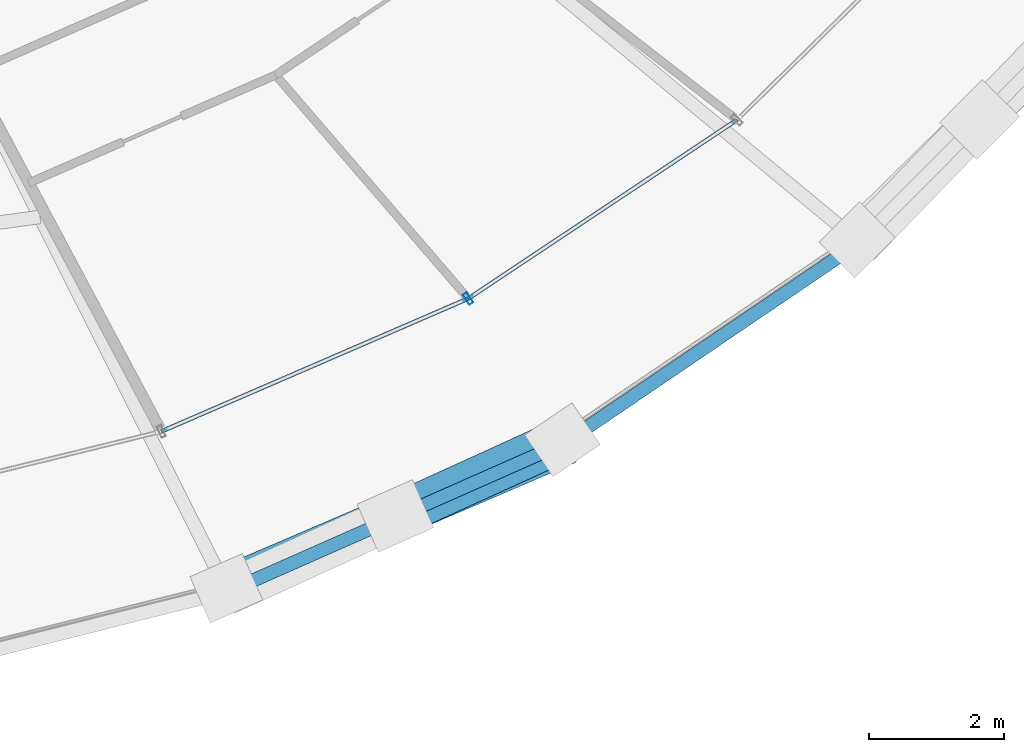
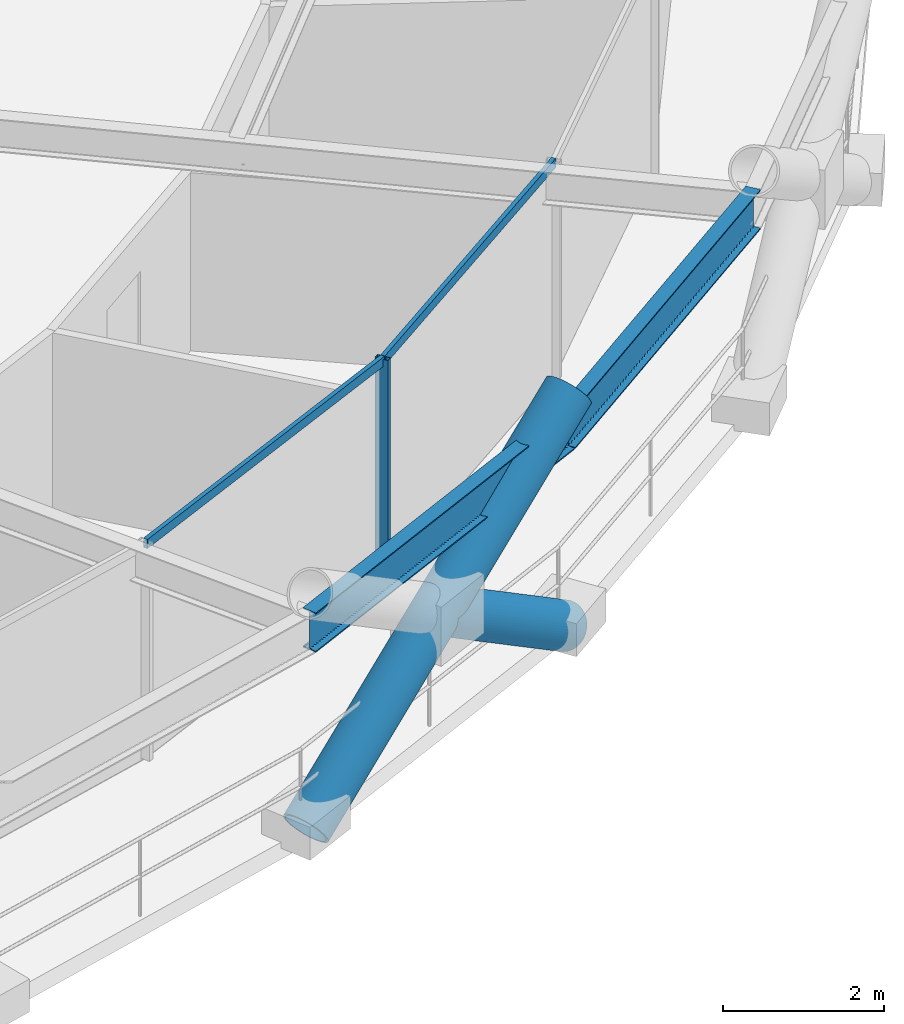
# One storey, part 8 of 21: 5 members, 2 beams, 1 element without a shape of its own.
"""IFC4 building model written with IfcOpenShell, lengths in metres."""

import ifcopenshell
import ifcopenshell.guid

model = None  # the IFC model being written
_history = None  # IfcOwnerHistory: only IFC2X3 demands one
_inside = {}  # id of a spatial element -> (the spatial element, [elements in it])
_under = {}  # id of a project, library or spatial element -> (it, [spatial elements below it])
_declared = {}  # id of a project -> (the project, [libraries it declares])
_typed = {}  # id of a type object -> (the type object, [elements of that type])
_made_of = {}  # id of a material, layer set ... -> (it, [elements and type objects made of it])


def new_model(schema):
    """Start an empty IFC model of exactly this schema.

    Asked for "IFC4X3", IfcOpenShell would pick the latest addendum, in which some entities
    have other attributes; the version numbers below select the first issue.
    IFC2X3 requires an IfcOwnerHistory on every rooted entity: one is made here for all.
    """
    global model, _history
    if schema == "IFC4X3":
        model = ifcopenshell.file(schema_version=(4, 3, 0, 0))
    else:
        model = ifcopenshell.file(schema=schema)
    _inside.clear()
    _under.clear()
    _declared.clear()
    _typed.clear()
    _made_of.clear()
    _history = None
    if model.schema == "IFC2X3":
        org = make("IfcOrganization", Name="unknown")
        user = make(
            "IfcPersonAndOrganization",
            ThePerson=make("IfcPerson", FamilyName="unknown"),
            TheOrganization=org,
        )
        app = make(
            "IfcApplication",
            ApplicationDeveloper=org,
            Version="unknown",
            ApplicationFullName="unknown",
            ApplicationIdentifier="unknown",
        )
        _history = make(
            "IfcOwnerHistory",
            OwningUser=user,
            OwningApplication=app,
            ChangeAction="ADDED",
            CreationDate=0,
        )
    return model


def make(cls, **values):
    """One entity of the class cls with the attributes given. An attribute that is None is left unset."""
    return model.create_entity(
        cls, **{name: value for name, value in values.items() if value is not None}
    )


def rooted(cls, **values):
    """An entity with a GlobalId (a new one), such as an element, a storey or a relation."""
    return make(cls, GlobalId=ifcopenshell.guid.new(), OwnerHistory=_history, **values)


def si_unit(unit_type, name, prefix=None):
    """IfcSIUnit, for example si_unit("LENGTHUNIT", "METRE", prefix="MILLI")."""
    return make("IfcSIUnit", UnitType=unit_type, Prefix=prefix, Name=name)


def assignment(units):
    """IfcUnitAssignment: the units of a project."""
    return None if units is None else make("IfcUnitAssignment", Units=units)


def point(xyz):
    """IfcCartesianPoint."""
    return None if xyz is None else make("IfcCartesianPoint", Coordinates=xyz)


def direction(xyz):
    """IfcDirection."""
    return None if xyz is None else make("IfcDirection", DirectionRatios=xyz)


def frame(location, z_axis=None, x_axis=None):
    """IfcAxis2Placement3D, a coordinate frame: its origin and axes. An axis left out is left unset."""
    return make(
        "IfcAxis2Placement3D",
        Location=point(location),
        Axis=direction(z_axis),
        RefDirection=direction(x_axis),
    )


def frame_2d(location, x_axis=None):
    """IfcAxis2Placement2D, a coordinate frame in the plane: its origin and x axis."""
    return make(
        "IfcAxis2Placement2D", Location=point(location), RefDirection=direction(x_axis)
    )


def origin():
    """The frame at (0, 0, 0) with its axes left unset."""
    return frame((0.0, 0.0, 0.0))


def origin_2d():
    """The frame at (0, 0) in the plane with its x axis left unset."""
    return frame_2d((0.0, 0.0))


def place(relative_to, where):
    """IfcLocalPlacement: puts the frame where relative to a parent placement (None: the world)."""
    return make(
        "IfcLocalPlacement", PlacementRelTo=relative_to, RelativePlacement=where
    )


def context(
    kind, dimensions, precision=None, world=None, true_north=None, identifier=None
):
    """IfcGeometricRepresentationContext, for example the 3D "Model" context."""
    return make(
        "IfcGeometricRepresentationContext",
        ContextIdentifier=identifier,
        ContextType=kind,
        CoordinateSpaceDimension=dimensions,
        Precision=precision,
        WorldCoordinateSystem=world,
        TrueNorth=true_north,
    )


def subcontext(parent, identifier, kind, view, scale=None):
    """IfcGeometricRepresentationSubContext, for example "Body" below "Model"."""
    return make(
        "IfcGeometricRepresentationSubContext",
        ContextIdentifier=identifier,
        ContextType=kind,
        ParentContext=parent,
        TargetScale=scale,
        TargetView=view,
    )


def project(units=None, contexts=None):
    """IfcProject with its units and contexts."""
    return rooted(
        "IfcProject",
        Name="project",
        RepresentationContexts=contexts,
        UnitsInContext=assignment(units),
    )


def spatial(cls, under=None, at=None, **own):
    """A site, building, storey or space (cls), placed at a placement, below another one or the project."""
    s = rooted(cls, ObjectPlacement=at, **own)
    if under is not None:
        _under.setdefault(under.id(), (under, []))[1].append(s)
    return s


def profile(cls, at=None, kind="AREA", **sizes):
    """A parametric profile (cls). Its sizes go by their IFC names, for example OverallWidth=200.0."""
    return make(cls, ProfileType=kind, Position=at, **sizes)


def hollow_rectangle(**sizes):
    """IfcRectangleHollowProfileDef."""
    return profile("IfcRectangleHollowProfileDef", **sizes)


def hollow_circle(**sizes):
    """IfcCircleHollowProfileDef."""
    return profile("IfcCircleHollowProfileDef", **sizes)


def i_section(**sizes):
    """IfcIShapeProfileDef."""
    return profile("IfcIShapeProfileDef", **sizes)


def extrude(swept, where, along, depth):
    """IfcExtrudedAreaSolid: the profile swept, set in the frame where, extruded along a direction by depth."""
    return make(
        "IfcExtrudedAreaSolid",
        SweptArea=swept,
        Position=where,
        ExtrudedDirection=direction(along),
        Depth=depth,
    )


def shape(context_of_items, identifier, shape_type, items):
    """IfcShapeRepresentation: the items that make up one representation, for example the "Body"."""
    return make(
        "IfcShapeRepresentation",
        ContextOfItems=context_of_items,
        RepresentationIdentifier=identifier,
        RepresentationType=shape_type,
        Items=items,
    )


def material(Name=None, Category=None):
    """IfcMaterial."""
    return make("IfcMaterial", Name=Name, Category=Category)


def layer(
    of_material, thickness, ventilated=None, Name=None, Category=None, Priority=None
):
    """IfcMaterialLayer: one layer of a wall or slab, of a material (None: an air gap)."""
    return make(
        "IfcMaterialLayer",
        Material=of_material,
        LayerThickness=thickness,
        IsVentilated=ventilated,
        Name=Name,
        Category=Category,
        Priority=Priority,
    )


def layer_set(layers, Name=None):
    """IfcMaterialLayerSet."""
    return make("IfcMaterialLayerSet", MaterialLayers=layers, LayerSetName=Name)


def material_profile(
    of_material, cross_section, Name=None, Category=None, Priority=None
):
    """IfcMaterialProfile: a cross section and its material."""
    return make(
        "IfcMaterialProfile",
        Name=Name,
        Material=of_material,
        Profile=cross_section,
        Priority=Priority,
        Category=Category,
    )


def profile_set(profiles, Name=None, composite=None):
    """IfcMaterialProfileSet."""
    return make(
        "IfcMaterialProfileSet",
        Name=Name,
        MaterialProfiles=profiles,
        CompositeProfile=composite,
    )


def made_of(thing, what):
    """Note that an element or type object is made of a material, layer set ...; save() writes the relation."""
    if what is not None:
        _made_of.setdefault(what.id(), (what, []))[1].append(thing)
    return thing


def type_object(cls, material=None, **own):
    """A type object (cls), such as IfcWallType, which elements share."""
    return made_of(rooted(cls, **own), material)


def element(
    cls,
    number,
    at=None,
    inside=None,
    cuts=None,
    type_object=None,
    material=None,
    context=None,
    identifier="Body",
    shape_type=None,
    held_by="IfcProductDefinitionShape",
    body=None,
    shapes=None,
    **own,
):
    """One element of the class cls, such as IfcWall. Its Tag is "e" and its number.

    at: its placement. inside: the storey or other place that contains it. cuts: it is an
    opening in that element (IfcRelVoidsElement). A single representation is given by context,
    identifier, shape_type and body (its items); several are given by shapes. held_by: the class
    of the entity that holds the representations. save() writes the other relations.
    """
    e = rooted(cls, Tag="e%d" % number, ObjectPlacement=at, **own)
    if body is not None:
        shapes = [shape(context, identifier, shape_type, body)]
    if shapes is not None:
        e.Representation = make(held_by, Representations=shapes)
    if inside is not None:
        _inside.setdefault(inside.id(), (inside, []))[1].append(e)
    if cuts is not None:
        rooted(
            "IfcRelVoidsElement", RelatingBuildingElement=cuts, RelatedOpeningElement=e
        )
    if type_object is not None:
        _typed.setdefault(type_object.id(), (type_object, []))[1].append(e)
    return made_of(e, material)


def aggregate(whole, parts):
    """IfcRelAggregates: a whole, such as a stair, and the parts it consists of."""
    return rooted("IfcRelAggregates", RelatingObject=whole, RelatedObjects=parts)


def save(model, path):
    """Write the relations noted so far, then the file.

    IfcRelAggregates (storeys below a building ...), IfcRelContainedInSpatialStructure (elements
    in a storey), IfcRelDefinesByType, IfcRelAssociatesMaterial and IfcRelDeclares: one each for
    every whole, place, type object, material and project.
    """
    for whole, parts in _under.values():
        aggregate(whole, parts)
    for where, things in _inside.values():
        rooted(
            "IfcRelContainedInSpatialStructure",
            RelatedElements=things,
            RelatingStructure=where,
        )
    for kind, things in _typed.values():
        rooted("IfcRelDefinesByType", RelatedObjects=things, RelatingType=kind)
    for what, things in _made_of.values():
        rooted("IfcRelAssociatesMaterial", RelatedObjects=things, RelatingMaterial=what)
    for by, libraries in _declared.values():
        rooted("IfcRelDeclares", RelatingContext=by, RelatedDefinitions=libraries)
    model.write(path)


model = new_model("IFC4")

# Units and contexts
model_context = context("Model", 3, precision=1e-05, world=origin(), true_north=direction((0.0, 1.0)))
body_context = subcontext(model_context, "Body", "Model", "MODEL_VIEW")
ifc_project = project(units=[si_unit("LENGTHUNIT", "METRE"), si_unit("AREAUNIT", "SQUARE_METRE"), si_unit("VOLUMEUNIT", "CUBIC_METRE"), si_unit("PLANEANGLEUNIT", "RADIAN"), si_unit("MASSUNIT", "GRAM", prefix="KILO")], contexts=[model_context])

# Site, building, storey
site_placement = place(None, origin())
site = spatial("IfcSite", under=ifc_project, at=site_placement, CompositionType="ELEMENT")
building_placement = place(site_placement, origin())
building = spatial("IfcBuilding", under=site, at=building_placement, Name="Veldorina Hangang Commons", CompositionType="ELEMENT")
storey_placement = place(building_placement, frame((0.0, 0.0, 66.39990234375)))
storey = spatial("IfcBuildingStorey", under=building, at=storey_placement, Name="L16", CompositionType="ELEMENT", Elevation=66.39990234375)

# Beams
ifc_material_1 = material(Name="Steel SM420-TMC", Category="steel")
ifc_material_profile_1 = material_profile(ifc_material_1, i_section(OverallWidth=0.199951171875, OverallDepth=0.60009765625, WebThickness=0.010986328125, FlangeThickness=0.01708984375, FilletRadius=0.01806640625, at=origin_2d()), Name="H-600x200x11x17")
ifc_profile_set_1 = profile_set([ifc_material_profile_1], Name="Steel SM420-TMC")
beam_type = type_object("IfcBeamType", Name="BM-RB600", PredefinedType="BEAM", material=ifc_profile_set_1)
beam_1_placement = place(storey_placement, frame((43.061767578125, 1.913818359375, 3.0400390625), z_axis=(0.914611294749, 0.404334242327, 0.0), x_axis=(-0.404334242327, 0.914611294749, 0.0)))
element("IfcBeam", 1, at=beam_1_placement, inside=storey, type_object=beam_type, Name="L16 perimeter hoop ring beam 26", PredefinedType="BEAM", context=body_context, shape_type="SweptSolid", body=[
    extrude(i_section(OverallWidth=0.199951171875, OverallDepth=0.60009765625, WebThickness=0.010986328125, FlangeThickness=0.01708984375, FilletRadius=0.01806640625, at=origin_2d()), origin(), (0.0, 0.0, 1.0), 5.4638671875),
])
beam_2_placement = place(storey_placement, frame((48.05908203125, 4.123046875, 3.0400390625), z_axis=(0.827409958016, 0.561598398658, 0.0), x_axis=(-0.561598398658, 0.827409958016, 0.0)))
element("IfcBeam", 2, at=beam_2_placement, inside=storey, type_object=beam_type, Name="L16 perimeter hoop ring beam 27", PredefinedType="BEAM", context=body_context, shape_type="SweptSolid", body=[
    extrude(i_section(OverallWidth=0.199951171875, OverallDepth=0.60009765625, WebThickness=0.010986328125, FlangeThickness=0.01708984375, FilletRadius=0.01806640625, at=origin_2d()), origin(), (0.0, 0.0, 1.0), 5.294189453125),
])

# Curtain wall, members
ifc_material_2 = material(Name="Glass Low-E Triple IGU", Category="glass")
ifc_layer = layer(ifc_material_2, 0.179931640625)
ifc_layer_set = layer_set([ifc_layer], Name="Glass Low-E Triple IGU")
curtain_wall_type = type_object("IfcCurtainWallType", Name="CW-SYS-Z1", PredefinedType="NOTDEFINED", material=ifc_layer_set)
curtain_wall_placement = place(storey_placement, origin())
curtain_wall = element("IfcCurtainWall", 3, at=curtain_wall_placement, inside=storey, type_object=curtain_wall_type, Name="L16 unitised curtain wall CW-L16-R2", PredefinedType="NOTDEFINED")
ifc_material_3 = material(Name="Aluminium Anodized AA6063-T6", Category="aluminium")
ifc_material_profile_2 = material_profile(ifc_material_3, hollow_rectangle(XDim=0.070068359375, YDim=0.179931640625, WallThickness=0.00390625, at=origin_2d()), Name="ALU-RHS-180x70x4")
ifc_profile_set_2 = profile_set([ifc_material_profile_2], Name="Aluminium Anodized AA6063-T6")
member_type_1 = type_object("IfcMemberType", Name="CW-MUL-180", PredefinedType="MULLION", material=ifc_profile_set_2)
member_1_placement = place(storey_placement, frame((46.62890625, 6.263427734375, 0.0), z_axis=(0.0, 0.0, 1.0), x_axis=(0.832747346527, 0.553653191855, 0.0)))
member_1 = element("IfcMember", 4, at=member_1_placement, type_object=member_type_1, Name="CW-L16-R2 vertical mullion 3", PredefinedType="MULLION", context=body_context, shape_type="SweptSolid", body=[
    extrude(hollow_rectangle(XDim=0.070068359375, YDim=0.179931640625, WallThickness=0.00390625, at=origin_2d()), origin(), (0.0, 0.0, 1.0), 3.300048828125),
])
ifc_material_profile_3 = material_profile(ifc_material_3, hollow_rectangle(XDim=0.06005859375, YDim=0.139892578125, WallThickness=0.00341796875, at=origin_2d()), Name="ALU-RHS-140x60x3.5")
ifc_profile_set_3 = profile_set([ifc_material_profile_3], Name="Aluminium Anodized AA6063-T6")
member_type_2 = type_object("IfcMemberType", Name="CW-TRN-140", PredefinedType="USERDEFINED", material=ifc_profile_set_3)
member_2_placement = place(storey_placement, frame((42.07666015625, 4.292236328125, 3.260009765625), z_axis=(0.917662125036, 0.397361578759, 0.0), x_axis=(-0.397361578759, 0.917662125036, 0.0)))
member_2 = element("IfcMember", 5, at=member_2_placement, type_object=member_type_2, Name="CW-L16-R2 facet 2 transom 1", ObjectType="TRANSOM", PredefinedType="USERDEFINED", context=body_context, shape_type="SweptSolid", body=[
    extrude(hollow_rectangle(XDim=0.06005859375, YDim=0.139892578125, WallThickness=0.00341796875, at=origin_2d()), origin(), (0.0, 0.0, 1.0), 4.960693359375),
])
member_3_placement = place(storey_placement, frame((46.62890625, 6.263427734375, 3.260009765625), z_axis=(0.832731615641, 0.553676851883, 0.0), x_axis=(-0.553676851883, 0.832731615641, 0.0)))
member_3 = element("IfcMember", 6, at=member_3_placement, type_object=member_type_2, Name="CW-L16-R2 facet 3 transom 1", ObjectType="TRANSOM", PredefinedType="USERDEFINED", context=body_context, shape_type="SweptSolid", body=[
    extrude(hollow_rectangle(XDim=0.06005859375, YDim=0.139892578125, WallThickness=0.00341796875, at=origin_2d()), origin(), (0.0, 0.0, 1.0), 4.791748046875),
])
aggregate(curtain_wall, [member_1, member_2, member_3])

# Members
ifc_material_4 = material(Name="Steel SM460-TMC", Category="steel")
ifc_material_profile_4 = material_profile(ifc_material_4, hollow_circle(Radius=0.324951171875, WallThickness=0.031982421875, at=origin_2d()), Name="CHS-650x32")
ifc_profile_set_4 = profile_set([ifc_material_profile_4], Name="Steel SM460-TMC")
member_type_3 = type_object("IfcMemberType", Name="DG-CHS650", PredefinedType="BRACE", material=ifc_profile_set_4)
member_4_placement = place(storey_placement, frame((43.041015625, 1.964111328125, 0.0), z_axis=(0.76768312104, 0.328644633, 0.55014119176), x_axis=(-0.393552614315, 0.919302093855, 0.0)))
element("IfcMember", 7, at=member_4_placement, inside=storey, type_object=member_type_3, Name="L16 continuous perimeter diagrid brace 26", PredefinedType="BRACE", context=body_context, shape_type="SweptSolid", body=[
    extrude(hollow_circle(Radius=0.324951171875, WallThickness=0.031982421875, at=origin_2d()), origin(), (0.0, 0.0, 1.0), 6.5439453125),
])
member_5_placement = place(storey_placement, frame((48.029052734375, 4.168212890625, 0.0), z_axis=(-0.759423922093, -0.346205764759, 0.550832892083), x_axis=(0.414808665616, -0.909908660762, 0.0)))
element("IfcMember", 8, at=member_5_placement, inside=storey, type_object=member_type_3, Name="L16 split perimeter diagrid lower brace 27", PredefinedType="BRACE", context=body_context, shape_type="SweptSolid", body=[
    extrude(hollow_circle(Radius=0.324951171875, WallThickness=0.031982421875, at=origin_2d()), origin(), (0.0, 0.0, 1.0), 3.264404296875),
])

save(model, "model.ifc")
